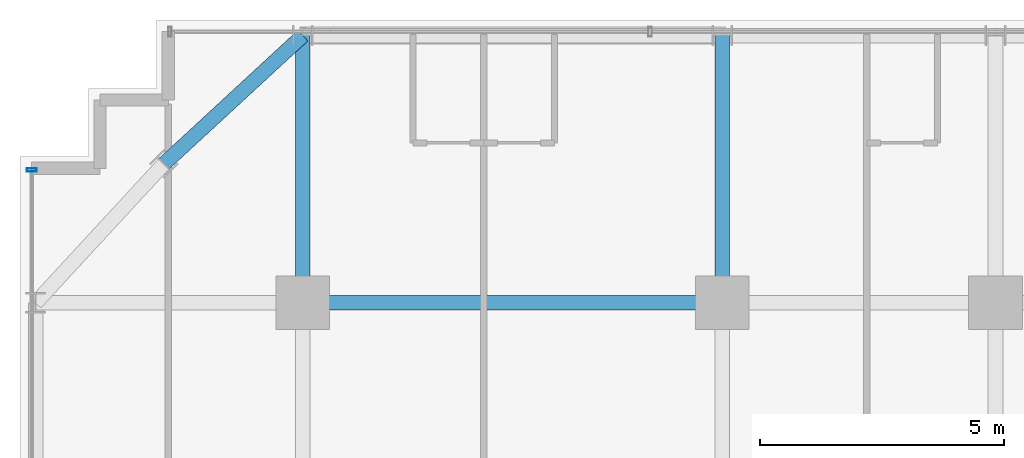
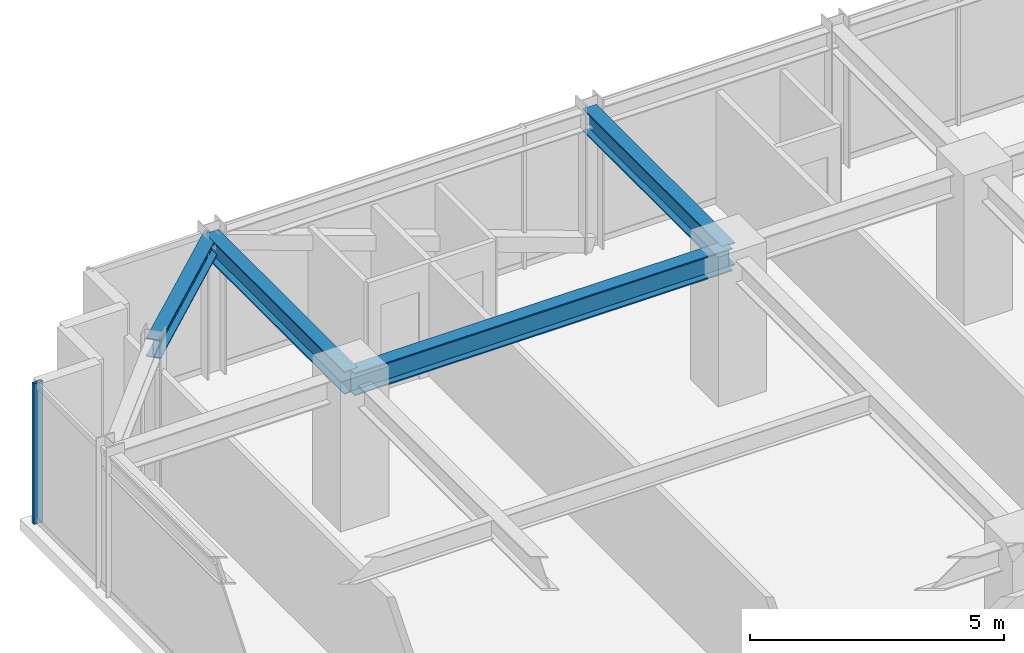
# One storey, part 21 of 38: 4 beams, 1 member, 1 element without a shape of its own.
"""IFC4 building model written with IfcOpenShell, lengths in metres."""

import ifcopenshell
import ifcopenshell.guid

model = None  # the IFC model being written
_history = None  # IfcOwnerHistory: only IFC2X3 demands one
_inside = {}  # id of a spatial element -> (the spatial element, [elements in it])
_under = {}  # id of a project, library or spatial element -> (it, [spatial elements below it])
_declared = {}  # id of a project -> (the project, [libraries it declares])
_typed = {}  # id of a type object -> (the type object, [elements of that type])
_made_of = {}  # id of a material, layer set ... -> (it, [elements and type objects made of it])


def new_model(schema):
    """Start an empty IFC model of exactly this schema.

    Asked for "IFC4X3", IfcOpenShell would pick the latest addendum, in which some entities
    have other attributes; the version numbers below select the first issue.
    IFC2X3 requires an IfcOwnerHistory on every rooted entity: one is made here for all.
    """
    global model, _history
    if schema == "IFC4X3":
        model = ifcopenshell.file(schema_version=(4, 3, 0, 0))
    else:
        model = ifcopenshell.file(schema=schema)
    _inside.clear()
    _under.clear()
    _declared.clear()
    _typed.clear()
    _made_of.clear()
    _history = None
    if model.schema == "IFC2X3":
        org = make("IfcOrganization", Name="unknown")
        user = make(
            "IfcPersonAndOrganization",
            ThePerson=make("IfcPerson", FamilyName="unknown"),
            TheOrganization=org,
        )
        app = make(
            "IfcApplication",
            ApplicationDeveloper=org,
            Version="unknown",
            ApplicationFullName="unknown",
            ApplicationIdentifier="unknown",
        )
        _history = make(
            "IfcOwnerHistory",
            OwningUser=user,
            OwningApplication=app,
            ChangeAction="ADDED",
            CreationDate=0,
        )
    return model


def make(cls, **values):
    """One entity of the class cls with the attributes given. An attribute that is None is left unset."""
    return model.create_entity(
        cls, **{name: value for name, value in values.items() if value is not None}
    )


def rooted(cls, **values):
    """An entity with a GlobalId (a new one), such as an element, a storey or a relation."""
    return make(cls, GlobalId=ifcopenshell.guid.new(), OwnerHistory=_history, **values)


def si_unit(unit_type, name, prefix=None):
    """IfcSIUnit, for example si_unit("LENGTHUNIT", "METRE", prefix="MILLI")."""
    return make("IfcSIUnit", UnitType=unit_type, Prefix=prefix, Name=name)


def assignment(units):
    """IfcUnitAssignment: the units of a project."""
    return None if units is None else make("IfcUnitAssignment", Units=units)


def point(xyz):
    """IfcCartesianPoint."""
    return None if xyz is None else make("IfcCartesianPoint", Coordinates=xyz)


def direction(xyz):
    """IfcDirection."""
    return None if xyz is None else make("IfcDirection", DirectionRatios=xyz)


def frame(location, z_axis=None, x_axis=None):
    """IfcAxis2Placement3D, a coordinate frame: its origin and axes. An axis left out is left unset."""
    return make(
        "IfcAxis2Placement3D",
        Location=point(location),
        Axis=direction(z_axis),
        RefDirection=direction(x_axis),
    )


def frame_2d(location, x_axis=None):
    """IfcAxis2Placement2D, a coordinate frame in the plane: its origin and x axis."""
    return make(
        "IfcAxis2Placement2D", Location=point(location), RefDirection=direction(x_axis)
    )


def origin():
    """The frame at (0, 0, 0) with its axes left unset."""
    return frame((0.0, 0.0, 0.0))


def origin_2d():
    """The frame at (0, 0) in the plane with its x axis left unset."""
    return frame_2d((0.0, 0.0))


def place(relative_to, where):
    """IfcLocalPlacement: puts the frame where relative to a parent placement (None: the world)."""
    return make(
        "IfcLocalPlacement", PlacementRelTo=relative_to, RelativePlacement=where
    )


def context(
    kind, dimensions, precision=None, world=None, true_north=None, identifier=None
):
    """IfcGeometricRepresentationContext, for example the 3D "Model" context."""
    return make(
        "IfcGeometricRepresentationContext",
        ContextIdentifier=identifier,
        ContextType=kind,
        CoordinateSpaceDimension=dimensions,
        Precision=precision,
        WorldCoordinateSystem=world,
        TrueNorth=true_north,
    )


def subcontext(parent, identifier, kind, view, scale=None):
    """IfcGeometricRepresentationSubContext, for example "Body" below "Model"."""
    return make(
        "IfcGeometricRepresentationSubContext",
        ContextIdentifier=identifier,
        ContextType=kind,
        ParentContext=parent,
        TargetScale=scale,
        TargetView=view,
    )


def project(units=None, contexts=None):
    """IfcProject with its units and contexts."""
    return rooted(
        "IfcProject",
        Name="project",
        RepresentationContexts=contexts,
        UnitsInContext=assignment(units),
    )


def spatial(cls, under=None, at=None, **own):
    """A site, building, storey or space (cls), placed at a placement, below another one or the project."""
    s = rooted(cls, ObjectPlacement=at, **own)
    if under is not None:
        _under.setdefault(under.id(), (under, []))[1].append(s)
    return s


def profile(cls, at=None, kind="AREA", **sizes):
    """A parametric profile (cls). Its sizes go by their IFC names, for example OverallWidth=200.0."""
    return make(cls, ProfileType=kind, Position=at, **sizes)


def hollow_rectangle(**sizes):
    """IfcRectangleHollowProfileDef."""
    return profile("IfcRectangleHollowProfileDef", **sizes)


def i_section(**sizes):
    """IfcIShapeProfileDef."""
    return profile("IfcIShapeProfileDef", **sizes)


def extrude(swept, where, along, depth):
    """IfcExtrudedAreaSolid: the profile swept, set in the frame where, extruded along a direction by depth."""
    return make(
        "IfcExtrudedAreaSolid",
        SweptArea=swept,
        Position=where,
        ExtrudedDirection=direction(along),
        Depth=depth,
    )


def shape(context_of_items, identifier, shape_type, items):
    """IfcShapeRepresentation: the items that make up one representation, for example the "Body"."""
    return make(
        "IfcShapeRepresentation",
        ContextOfItems=context_of_items,
        RepresentationIdentifier=identifier,
        RepresentationType=shape_type,
        Items=items,
    )


def source(mapping_origin, context_of_items, identifier, shape_type, items):
    """IfcRepresentationMap: a shape defined once, which mapped items show again and again."""
    return make(
        "IfcRepresentationMap",
        MappingOrigin=mapping_origin,
        MappedRepresentation=shape(context_of_items, identifier, shape_type, items),
    )


def transform(
    local_origin,
    x_axis=None,
    y_axis=None,
    z_axis=None,
    scale=None,
    scale2=None,
    scale3=None,
    uniform=True,
):
    """IfcCartesianTransformationOperator3D, or its non-uniform kind. x_axis, y_axis, z_axis: its Axis1, 2, 3."""
    if uniform:
        return make(
            "IfcCartesianTransformationOperator3D",
            Axis1=direction(x_axis),
            Axis2=direction(y_axis),
            LocalOrigin=point(local_origin),
            Scale=scale,
            Axis3=direction(z_axis),
        )
    return make(
        "IfcCartesianTransformationOperator3DnonUniform",
        Axis1=direction(x_axis),
        Axis2=direction(y_axis),
        LocalOrigin=point(local_origin),
        Scale=scale,
        Axis3=direction(z_axis),
        Scale2=scale2,
        Scale3=scale3,
    )


def mapped(mapping_source, mapping_target):
    """IfcMappedItem: shows the shape of a source again, moved by a transform."""
    return make(
        "IfcMappedItem", MappingSource=mapping_source, MappingTarget=mapping_target
    )


def material(Name=None, Category=None):
    """IfcMaterial."""
    return make("IfcMaterial", Name=Name, Category=Category)


def material_profile(
    of_material, cross_section, Name=None, Category=None, Priority=None
):
    """IfcMaterialProfile: a cross section and its material."""
    return make(
        "IfcMaterialProfile",
        Name=Name,
        Material=of_material,
        Profile=cross_section,
        Priority=Priority,
        Category=Category,
    )


def profile_set(profiles, Name=None, composite=None):
    """IfcMaterialProfileSet."""
    return make(
        "IfcMaterialProfileSet",
        Name=Name,
        MaterialProfiles=profiles,
        CompositeProfile=composite,
    )


def made_of(thing, what):
    """Note that an element or type object is made of a material, layer set ...; save() writes the relation."""
    if what is not None:
        _made_of.setdefault(what.id(), (what, []))[1].append(thing)
    return thing


def type_object(cls, material=None, **own):
    """A type object (cls), such as IfcWallType, which elements share."""
    return made_of(rooted(cls, **own), material)


def element(
    cls,
    number,
    at=None,
    inside=None,
    cuts=None,
    type_object=None,
    material=None,
    context=None,
    identifier="Body",
    shape_type=None,
    held_by="IfcProductDefinitionShape",
    body=None,
    shapes=None,
    **own,
):
    """One element of the class cls, such as IfcWall. Its Tag is "e" and its number.

    at: its placement. inside: the storey or other place that contains it. cuts: it is an
    opening in that element (IfcRelVoidsElement). A single representation is given by context,
    identifier, shape_type and body (its items); several are given by shapes. held_by: the class
    of the entity that holds the representations. save() writes the other relations.
    """
    e = rooted(cls, Tag="e%d" % number, ObjectPlacement=at, **own)
    if body is not None:
        shapes = [shape(context, identifier, shape_type, body)]
    if shapes is not None:
        e.Representation = make(held_by, Representations=shapes)
    if inside is not None:
        _inside.setdefault(inside.id(), (inside, []))[1].append(e)
    if cuts is not None:
        rooted(
            "IfcRelVoidsElement", RelatingBuildingElement=cuts, RelatedOpeningElement=e
        )
    if type_object is not None:
        _typed.setdefault(type_object.id(), (type_object, []))[1].append(e)
    return made_of(e, material)


def aggregate(whole, parts):
    """IfcRelAggregates: a whole, such as a stair, and the parts it consists of."""
    return rooted("IfcRelAggregates", RelatingObject=whole, RelatedObjects=parts)


def save(model, path):
    """Write the relations noted so far, then the file.

    IfcRelAggregates (storeys below a building ...), IfcRelContainedInSpatialStructure (elements
    in a storey), IfcRelDefinesByType, IfcRelAssociatesMaterial and IfcRelDeclares: one each for
    every whole, place, type object, material and project.
    """
    for whole, parts in _under.values():
        aggregate(whole, parts)
    for where, things in _inside.values():
        rooted(
            "IfcRelContainedInSpatialStructure",
            RelatedElements=things,
            RelatingStructure=where,
        )
    for kind, things in _typed.values():
        rooted("IfcRelDefinesByType", RelatedObjects=things, RelatingType=kind)
    for what, things in _made_of.values():
        rooted("IfcRelAssociatesMaterial", RelatedObjects=things, RelatingMaterial=what)
    for by, libraries in _declared.values():
        rooted("IfcRelDeclares", RelatingContext=by, RelatedDefinitions=libraries)
    model.write(path)


model = new_model("IFC4")

# Units and contexts
model_context = context("Model", 3, precision=1e-05, world=origin(), true_north=direction((0.0, 1.0)))
body_context = subcontext(model_context, "Body", "Model", "MODEL_VIEW")
ifc_project = project(units=[si_unit("LENGTHUNIT", "METRE"), si_unit("AREAUNIT", "SQUARE_METRE"), si_unit("VOLUMEUNIT", "CUBIC_METRE"), si_unit("PLANEANGLEUNIT", "RADIAN"), si_unit("MASSUNIT", "GRAM", prefix="KILO")], contexts=[model_context])

# Site, building, storey
site_placement = place(None, origin())
site = spatial("IfcSite", under=ifc_project, at=site_placement, CompositionType="ELEMENT")
building_placement = place(site_placement, origin())
building = spatial("IfcBuilding", under=site, at=building_placement, Name="Nahalor Promenade Grand Hotel", CompositionType="ELEMENT")
storey_placement = place(building_placement, frame((0.0, 0.0, 163.60009765625)))
storey = spatial("IfcBuildingStorey", under=building, at=storey_placement, Name="L41", CompositionType="ELEMENT", Elevation=163.60009765625)

# Beams
ifc_material_1 = material(Name="Steel S355JR", Category="steel")
ifc_material_profile_1 = material_profile(ifc_material_1, i_section(OverallWidth=0.3, OverallDepth=0.55, WebThickness=0.015, FlangeThickness=0.029, at=origin_2d()), Name="HEB 550")
ifc_profile_set_1 = profile_set([ifc_material_profile_1], Name="Steel S355JR")
beam_type_1 = type_object("IfcBeamType", Name="Beam-Girder-HEB550", PredefinedType="BEAM", material=ifc_profile_set_1)
shared_shape_1 = source(origin(), body_context, "Body", "SweptSolid", [
    extrude(i_section(OverallWidth=0.3, OverallDepth=0.55, WebThickness=0.015, FlangeThickness=0.029, at=origin_2d()), origin(), (0.0, 0.0, 1.0), 8.60009765625),
])
beam_1_placement = place(storey_placement, frame((-17.0, 17.0, 3.114990234375), z_axis=(1.0, 0.0, 0.0), x_axis=(0.0, 1.0, 0.0)))
element("IfcBeam", 1, at=beam_1_placement, inside=storey, type_object=beam_type_1, Name="BM-L41-GX-3-1", PredefinedType="BEAM", context=body_context, shape_type="MappedRepresentation", body=[
    mapped(shared_shape_1, transform((0.0, 0.0, 0.0), scale=1.0)),
])
shared_shape_2 = source(origin(), body_context, "Body", "SweptSolid", [
    extrude(i_section(OverallWidth=0.3, OverallDepth=0.55, WebThickness=0.015, FlangeThickness=0.029, at=origin_2d()), origin(), (0.0, 0.0, 1.0), 5.47998046875),
])
for number, where, z_axis, x_axis, name in (
    (2, (-17.0, 17.0, 3.114990234375), (0.0, 1.0, 0.0), (-1.0, 0.0, 0.0), "BM-L41-GY-0-4"),
    (3, (-8.39990234375, 17.0, 3.114990234375), (0.0, 1.0, 0.0), (-1.0, 0.0, 0.0), "BM-L41-GY-1-4"),
):
    element("IfcBeam", number, at=place(storey_placement, frame(where, z_axis=z_axis, x_axis=x_axis)), inside=storey, type_object=beam_type_1, Name=name, PredefinedType="BEAM", context=body_context, shape_type="MappedRepresentation", body=[
        mapped(shared_shape_2, transform((0.0, 0.0, 0.0), scale=1.0)),
    ])
ifc_material_profile_2 = material_profile(ifc_material_1, i_section(OverallWidth=0.3, OverallDepth=0.45, WebThickness=0.014, FlangeThickness=0.026, at=origin_2d()), Name="HEB 450")
ifc_profile_set_2 = profile_set([ifc_material_profile_2], Name="Steel S355JR")
beam_type_2 = type_object("IfcBeamType", Name="Beam-Spandrel-HEB450", PredefinedType="SPANDREL", material=ifc_profile_set_2)
shared_shape_3 = source(origin(), body_context, "Body", "SweptSolid", [
    extrude(i_section(OverallWidth=0.3, OverallDepth=0.45, WebThickness=0.014, FlangeThickness=0.026, at=origin_2d()), origin(), (0.0, 0.0, 1.0), 3.878173828125),
])
beam_2_placement = place(storey_placement, frame((-17.0, 22.47998046875, 3.164794921875), z_axis=(-0.73492893846, -0.678144125843, 0.0), x_axis=(0.678144125843, -0.73492893846, 0.0)))
element("IfcBeam", 4, at=beam_2_placement, inside=storey, type_object=beam_type_2, Name="BM-L41-SPC-NW-1", PredefinedType="SPANDREL", context=body_context, shape_type="MappedRepresentation", body=[
    mapped(shared_shape_3, transform((0.0, 0.0, 0.0), scale=1.0)),
])

# Curtain wall, member
ifc_material_2 = material(Name="Anodised Bronze Aluminium EN AW-6063 T6", Category="aluminium")
curtain_wall_type = type_object("IfcCurtainWallType", Name="CW3 Elliptical-Void Collar Unitised Curtain Wall", PredefinedType="USERDEFINED", material=ifc_material_2)
curtain_wall_placement = place(storey_placement, origin())
curtain_wall = element("IfcCurtainWall", 5, at=curtain_wall_placement, inside=storey, type_object=curtain_wall_type, Name="L41 Curtain Wall CW-L41-W-2", ObjectType="UNITISED_CURTAIN_WALL", PredefinedType="USERDEFINED")
ifc_material_profile_3 = material_profile(ifc_material_2, hollow_rectangle(XDim=0.07, YDim=0.2, WallThickness=0.005, at=origin_2d()), Name="CWM 70x200x5")
ifc_profile_set_3 = profile_set([ifc_material_profile_3], Name="Anodised Bronze Aluminium EN AW-6063 T6")
member_type = type_object("IfcMemberType", Name="CWM3 Void Collar Mullion 70x200", PredefinedType="MULLION", material=ifc_profile_set_3)
shared_shape_4 = source(origin(), body_context, "Body", "SweptSolid", [
    extrude(hollow_rectangle(XDim=0.07, YDim=0.2, WallThickness=0.005, at=origin_2d()), origin(), (0.0, 0.0, 1.0), 3.389892578125),
])
member_placement = place(storey_placement, frame((-22.56005859375, 19.72509765625, 0.0), z_axis=(0.0, 0.0, 1.0), x_axis=(0.0, 1.0, 0.0)))
member = element("IfcMember", 6, at=member_placement, type_object=member_type, Name="CW-L41-W-2 Mullion 2", PredefinedType="MULLION", context=body_context, shape_type="MappedRepresentation", body=[
    mapped(shared_shape_4, transform((0.0, 0.0, 0.0), scale=1.0)),
])
aggregate(curtain_wall, [member])

save(model, "model.ifc")
